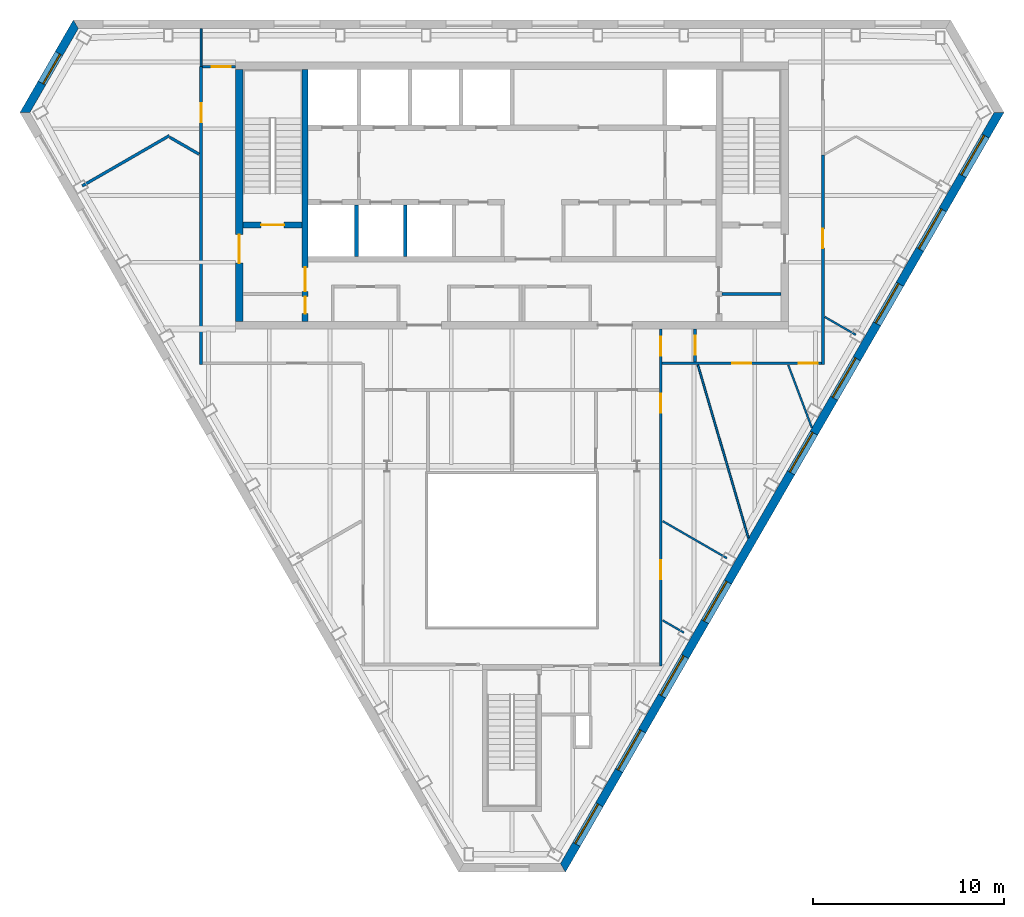
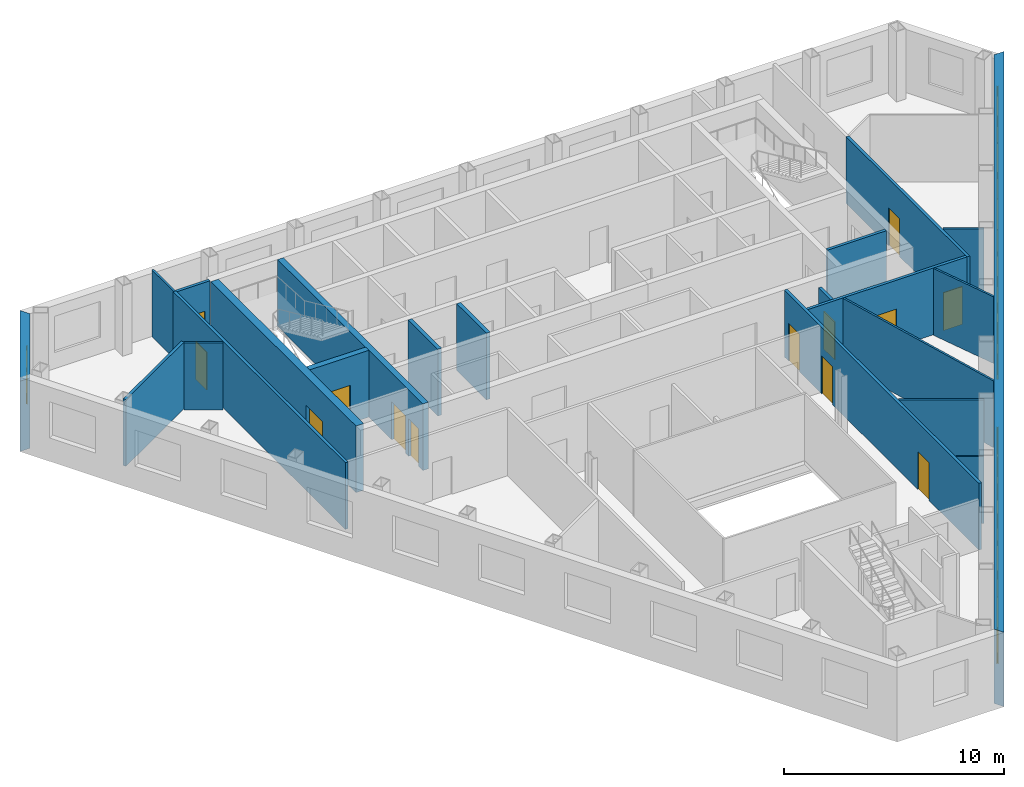
# One storey, part 5 of 10: 22 walls, 13 doors, 10 windows, 23 openings.
"""IFC4 building model written with IfcOpenShell, lengths in metres."""

from ifc_helpers import new_model, si_unit, direction, frame, frame_2d, origin, place, context, subcontext, project, spatial, polyline, rectangle, outline, extrude, material, layer, layer_set, type_object, element, fill, save


model = new_model("IFC4")

# Units and contexts
model_context = context("Model", 3, precision=1e-05, world=origin(), true_north=direction((0.0, 1.0)))
body_context = subcontext(model_context, "Body", "Model", "MODEL_VIEW")
ifc_project = project(units=[si_unit("LENGTHUNIT", "METRE"), si_unit("AREAUNIT", "SQUARE_METRE"), si_unit("VOLUMEUNIT", "CUBIC_METRE"), si_unit("PLANEANGLEUNIT", "RADIAN"), si_unit("MASSUNIT", "GRAM", prefix="KILO")], contexts=[model_context])

# Site, building, storey
site_placement = place(None, origin())
site = spatial("IfcSite", under=ifc_project, at=site_placement, CompositionType="ELEMENT")
building_placement = place(site_placement, origin())
building = spatial("IfcBuilding", under=site, at=building_placement, Name="Njiva Tower", CompositionType="ELEMENT")
storey_placement = place(building_placement, frame((0.0, 0.0, 276.6)))
storey = spatial("IfcBuildingStorey", under=building, at=storey_placement, Name="L63", CompositionType="ELEMENT", Elevation=276.6)

# Wall
ifc_material_1 = material(Name="Blockwork", Category="masonry")
ifc_layer_1 = layer(ifc_material_1, 0.15)
ifc_layer_set_1 = layer_set([ifc_layer_1], Name="Blockwork")
wall_type_1 = type_object("IfcWallType", Name="WT1 Compartment partition 150", PredefinedType="PARTITIONING", material=ifc_layer_set_1)
wall_1_placement = place(storey_placement, frame((11.0, 5.825, 0.0), z_axis=(0.0, 0.0, 1.0), x_axis=(1.0, 0.0, 0.0)))
element("IfcWall", 1, at=wall_1_placement, inside=storey, type_object=wall_type_1, Name="Room wall B", PredefinedType="PARTITIONING", context=body_context, shape_type="SweptSolid", body=[
    extrude(rectangle(XDim=3.1, YDim=0.15, at=frame_2d((1.55, 0.0))), origin(), (0.0, 0.0, 1.0), 3.7),
])

# Wall, openings, doors
ifc_material_2 = material(Name="Concrete C40/50", Category="concrete")
ifc_layer_2 = layer(ifc_material_2, 0.3)
ifc_layer_set_2 = layer_set([ifc_layer_2], Name="Concrete C40/50")
wall_type_2 = type_object("IfcWallType", Name="WT10 Stair enclosure wall 300", PredefinedType="SHEAR", material=ifc_layer_set_2)
wall_2_placement = place(storey_placement, frame((-10.85, 4.4, 0.0), z_axis=(0.0, 0.0, 1.0), x_axis=(0.0, 1.0, 0.0)))
wall_2 = element("IfcWall", 2, at=wall_2_placement, inside=storey, type_object=wall_type_2, Name="Stair wall west inner", PredefinedType="SHEAR", context=body_context, shape_type="SweptSolid", body=[
    extrude(rectangle(XDim=13.2, YDim=0.3, at=frame_2d((6.6, 0.0))), origin(), (0.0, 0.0, 1.0), 3.7),
])
opening_1_placement = place(wall_2_placement, frame((1.575, 0.0, 0.0)))
opening_1 = element("IfcOpeningElement", 3, at=opening_1_placement, cuts=wall_2, Name="Opening S20-D916", PredefinedType="OPENING", context=body_context, shape_type="SweptSolid", body=[
    extrude(rectangle(XDim=1.25, YDim=2.1, at=frame_2d((0.625, 1.05))), frame((0.0, 0.16, 0.0), z_axis=(0.0, -1.0, 0.0), x_axis=(1.0, 0.0, 0.0)), (0.0, 0.0, 1.0), 0.32),
])
opening_2_placement = place(wall_2_placement, frame((0.4, 0.0, 0.0)))
opening_2 = element("IfcOpeningElement", 4, at=opening_2_placement, cuts=wall_2, Name="Opening S20-D918", PredefinedType="OPENING", context=body_context, shape_type="SweptSolid", body=[
    extrude(rectangle(XDim=0.9, YDim=2.1, at=frame_2d((0.45, 1.05))), frame((0.0, 0.16, 0.0), z_axis=(0.0, -1.0, 0.0), x_axis=(1.0, 0.0, 0.0)), (0.0, 0.0, 1.0), 0.32),
])
ifc_material_3 = material(Name="Steel door, painted", Category="steel")
door_type_1 = type_object("IfcDoorType", Name="D13 Steel door 900x2100", OperationType="SINGLE_SWING_LEFT", PredefinedType="DOOR", material=ifc_material_3)
door_1_placement = place(opening_2_placement, origin())
door_1 = element("IfcDoor", 5, at=door_1_placement, inside=storey, type_object=door_type_1, Name="Quiet room door", OperationType="SINGLE_SWING_RIGHT", OverallHeight=2.1, OverallWidth=0.9, PredefinedType="DOOR", context=body_context, shape_type="SweptSolid", body=[
    extrude(rectangle(XDim=0.9, YDim=2.1, at=frame_2d((0.45, 1.05))), frame((0.0, 0.025, 0.0), z_axis=(0.0, -1.0, 0.0), x_axis=(1.0, 0.0, 0.0)), (0.0, 0.0, 1.0), 0.05),
])
fill(opening_2, door_1)
ifc_material_4 = material(Name="Glazed steel fire door", Category="steel")
door_type_2 = type_object("IfcDoorType", Name="D8 Vestibule corridor door 1250x2100 glazed", OperationType="SINGLE_SWING_LEFT", PredefinedType="DOOR", material=ifc_material_4)
door_2_placement = place(opening_1_placement, origin())
door_2 = element("IfcDoor", 6, at=door_2_placement, inside=storey, type_object=door_type_2, Name="Stair vestibule corridor door", OperationType="SINGLE_SWING_LEFT", OverallHeight=2.1, OverallWidth=1.25, PredefinedType="DOOR", context=body_context, shape_type="SweptSolid", body=[
    extrude(rectangle(XDim=1.25, YDim=2.1, at=frame_2d((0.625, 1.05))), frame((0.0, 0.025, 0.0), z_axis=(0.0, -1.0, 0.0), x_axis=(1.0, 0.0, 0.0)), (0.0, 0.0, 1.0), 0.05),
])
fill(opening_1, door_2)

# Wall, opening, door
wall_3_placement = place(storey_placement, frame((-14.1, 9.45, 0.0), z_axis=(0.0, 0.0, 1.0), x_axis=(1.0, 0.0, 0.0)))
wall_3 = element("IfcWall", 7, at=wall_3_placement, inside=storey, type_object=wall_type_2, Name="Stair A south wall", PredefinedType="SHEAR", context=body_context, shape_type="SweptSolid", body=[
    extrude(rectangle(XDim=3.1, YDim=0.3, at=frame_2d((1.55, 0.0))), origin(), (0.0, 0.0, 1.0), 3.7),
])
opening_3_placement = place(wall_3_placement, frame((0.95, 0.0, 0.0)))
opening_3 = element("IfcOpeningElement", 8, at=opening_3_placement, cuts=wall_3, Name="Opening S20-D915", PredefinedType="OPENING", context=body_context, shape_type="SweptSolid", body=[
    extrude(rectangle(XDim=1.2, YDim=2.1, at=frame_2d((0.6, 1.05))), frame((0.0, 0.16, 0.0), z_axis=(0.0, -1.0, 0.0), x_axis=(1.0, 0.0, 0.0)), (0.0, 0.0, 1.0), 0.32),
])
door_type_3 = type_object("IfcDoorType", Name="D7 Stair vestibule door 1200x2100 glazed", OperationType="SINGLE_SWING_LEFT", PredefinedType="DOOR", material=ifc_material_4)
door_3_placement = place(opening_3_placement, origin())
door_3 = element("IfcDoor", 9, at=door_3_placement, inside=storey, type_object=door_type_3, Name="Stair A door", OperationType="SINGLE_SWING_LEFT", OverallHeight=2.1, OverallWidth=1.2, PredefinedType="DOOR", context=body_context, shape_type="SweptSolid", body=[
    extrude(rectangle(XDim=1.2, YDim=2.1, at=frame_2d((0.6, 1.05))), frame((0.0, 0.025, 0.0), z_axis=(0.0, -1.0, 0.0), x_axis=(1.0, 0.0, 0.0)), (0.0, 0.0, 1.0), 0.05),
])
fill(opening_3, door_3)

ifc_material_5 = material(Name="Concrete C60/75", Category="concrete")
ifc_layer_3 = layer(ifc_material_5, 0.4)
ifc_layer_set_3 = layer_set([ifc_layer_3], Name="Concrete C60/75")
wall_type_3 = type_object("IfcWallType", Name="WT11 Core wall 400", PredefinedType="SHEAR", material=ifc_layer_set_3)
wall_4_placement = place(storey_placement, frame((-14.3, 4.4, 0.0), z_axis=(0.0, 0.0, 1.0), x_axis=(0.0, 1.0, 0.0)))
wall_4 = element("IfcWall", 10, at=wall_4_placement, inside=storey, type_object=wall_type_3, Name="Core wall west", PredefinedType="SHEAR", context=body_context, shape_type="SweptSolid", body=[
    extrude(rectangle(XDim=13.2, YDim=0.4, at=frame_2d((6.6, 0.0))), origin(), (0.0, 0.0, 1.0), 3.7),
])
opening_4_placement = place(wall_4_placement, frame((3.05, 0.0, 0.0)))
opening_4 = element("IfcOpeningElement", 11, at=opening_4_placement, cuts=wall_4, Name="Opening S20-D917", PredefinedType="OPENING", context=body_context, shape_type="SweptSolid", body=[
    extrude(rectangle(XDim=1.5, YDim=2.1, at=frame_2d((0.75, 1.05))), frame((0.0, 0.21, 0.0), z_axis=(0.0, -1.0, 0.0), x_axis=(1.0, 0.0, 0.0)), (0.0, 0.0, 1.0), 0.42),
])
door_type_4 = type_object("IfcDoorType", Name="D10 Exit door double 1500x2100 glazed", OperationType="DOUBLE_DOOR_SINGLE_SWING", PredefinedType="DOOR", material=ifc_material_4)
door_4_placement = place(opening_4_placement, origin())
door_4 = element("IfcDoor", 12, at=door_4_placement, inside=storey, type_object=door_type_4, Name="Stair A corridor door", OperationType="DOUBLE_DOOR_SINGLE_SWING", OverallHeight=2.1, OverallWidth=1.5, PredefinedType="DOOR", context=body_context, shape_type="SweptSolid", body=[
    extrude(rectangle(XDim=1.5, YDim=2.1, at=frame_2d((0.75, 1.05))), frame((0.0, 0.025, 0.0), z_axis=(0.0, -1.0, 0.0), x_axis=(1.0, 0.0, 0.0)), (0.0, 0.0, 1.0), 0.05),
])
fill(opening_4, door_4)

# Walls
ifc_material_6 = material(Name="Gypsum board on steel studs", Category="gypsum")
ifc_layer_4 = layer(ifc_material_6, 0.1)
ifc_layer_set_4 = layer_set([ifc_layer_4], Name="Gypsum board on steel studs")
wall_type_4 = type_object("IfcWallType", Name="WT20 Gypsum partition 100", PredefinedType="PARTITIONING", material=ifc_layer_set_4)
wall_5_placement = place(storey_placement, frame((-16.3, 17.762, 0.0), z_axis=(0.0, 0.0, 1.0), x_axis=(0.0, 1.0, 0.0)))
element("IfcWall", 13, at=wall_5_placement, inside=storey, type_object=wall_type_4, Name="Partition S20-P004", PredefinedType="PARTITIONING", context=body_context, shape_type="SweptSolid", body=[
    extrude(rectangle(XDim=1.988, YDim=0.1, at=frame_2d((0.994, 0.0))), origin(), (0.0, 0.0, 1.0), 3.7),
])
wall_6_placement = place(storey_placement, frame((7.9, -6.077, 0.0), z_axis=(0.0, 0.0, 1.0), x_axis=(0.86601853819, -0.50001189137, 0.0)))
element("IfcWall", 14, at=wall_6_placement, inside=storey, type_object=wall_type_4, Name="Partition S20-P018", PredefinedType="PARTITIONING", context=body_context, shape_type="SweptSolid", body=[
    extrude(rectangle(XDim=3.8879, YDim=0.1, at=frame_2d((1.944, 0.0))), origin(), (0.0, 0.0, 1.0), 3.7),
])
wall_7_placement = place(storey_placement, frame((7.9, -11.283, 0.0), z_axis=(0.0, 0.0, 1.0), x_axis=(0.865887538919, -0.500238712961, 0.0)))
element("IfcWall", 15, at=wall_7_placement, inside=storey, type_object=wall_type_4, Name="Partition S20-P019", PredefinedType="PARTITIONING", context=body_context, shape_type="SweptSolid", body=[
    extrude(rectangle(XDim=1.2854, YDim=0.1, at=frame_2d((0.6427, 0.0))), origin(), (0.0, 0.0, 1.0), 3.7),
])
wall_8_placement = place(storey_placement, frame((9.749, 2.111, 0.0), z_axis=(0.0, 0.0, 1.0), x_axis=(0.280109672534, -0.95996800538, 0.0)))
element("IfcWall", 16, at=wall_8_placement, inside=storey, type_object=wall_type_4, Name="Partition S20-P021", PredefinedType="PARTITIONING", context=body_context, shape_type="SweptSolid", body=[
    extrude(rectangle(XDim=9.4534, YDim=0.1, at=frame_2d((4.7267, 0.0))), origin(), (0.0, 0.0, 1.0), 3.7),
])
wall_9_placement = place(storey_placement, frame((14.487, 2.107, 0.0), z_axis=(0.0, 0.0, 1.0), x_axis=(0.352242085743, -0.935908923471, 0.0)))
element("IfcWall", 17, at=wall_9_placement, inside=storey, type_object=wall_type_4, Name="Partition S20-P023", PredefinedType="PARTITIONING", context=body_context, shape_type="SweptSolid", body=[
    extrude(rectangle(XDim=3.526, YDim=0.1, at=frame_2d((1.763, 0.0))), origin(), (0.0, 0.0, 1.0), 3.7),
])
wall_10_placement = place(storey_placement, frame((16.4, 4.63, 0.0), z_axis=(0.0, 0.0, 1.0), x_axis=(0.866141323391, -0.49979916758, 0.0)))
element("IfcWall", 18, at=wall_10_placement, inside=storey, type_object=wall_type_4, Name="Partition S20-P026", PredefinedType="PARTITIONING", context=body_context, shape_type="SweptSolid", body=[
    extrude(rectangle(XDim=1.8808, YDim=0.1, at=frame_2d((0.9404, 0.0))), origin(), (0.0, 0.0, 1.0), 3.7),
])
ifc_layer_5 = layer(ifc_material_6, 0.15)
ifc_layer_set_5 = layer_set([ifc_layer_5], Name="Gypsum board on steel studs")
wall_type_5 = type_object("IfcWallType", Name="WT21 Compartment wall 150", PredefinedType="PARTITIONING", material=ifc_layer_set_5)
wall_11_placement = place(storey_placement, frame((-22.537, 11.498, 0.0), z_axis=(0.0, 0.0, 1.0), x_axis=(0.866147719825, 0.499788082533, 0.0)))
element("IfcWall", 19, at=wall_11_placement, inside=storey, type_object=wall_type_5, Name="Partition S20-P001", PredefinedType="PARTITIONING", context=body_context, shape_type="SweptSolid", body=[
    extrude(rectangle(XDim=5.2762, YDim=0.15, at=frame_2d((2.6381, 0.0))), origin(), (0.0, 0.0, 1.0), 3.7),
])
wall_12_placement = place(storey_placement, frame((-17.943, 14.047, 0.0), z_axis=(0.0, 0.0, 1.0), x_axis=(0.866251516137, -0.49960815725, 0.0)))
element("IfcWall", 20, at=wall_12_placement, inside=storey, type_object=wall_type_5, Name="Partition S20-P002", PredefinedType="PARTITIONING", context=body_context, shape_type="SweptSolid", body=[
    extrude(rectangle(XDim=1.7674, YDim=0.15, at=frame_2d((0.8837, 0.0))), origin(), (0.0, 0.0, 1.0), 3.7),
])

# Wall, opening, door
wall_13_placement = place(storey_placement, frame((-16.3, 2.125, 0.0), z_axis=(0.0, 0.0, 1.0), x_axis=(0.0, 1.0, 0.0)))
wall_13 = element("IfcWall", 21, at=wall_13_placement, inside=storey, type_object=wall_type_5, Name="Partition S20-P003", PredefinedType="PARTITIONING", context=body_context, shape_type="SweptSolid", body=[
    extrude(rectangle(XDim=15.637, YDim=0.15, at=frame_2d((7.8185, 0.0))), origin(), (0.0, 0.0, 1.0), 3.7),
])
opening_5_placement = place(wall_13_placement, frame((12.705, 0.0, 0.0)))
opening_5 = element("IfcOpeningElement", 22, at=opening_5_placement, cuts=wall_13, Name="Opening S20-D001", PredefinedType="OPENING", context=body_context, shape_type="SweptSolid", body=[
    extrude(rectangle(XDim=1.0, YDim=2.1, at=frame_2d((0.5, 1.05))), frame((0.0, 0.085, 0.0), z_axis=(0.0, -1.0, 0.0), x_axis=(1.0, 0.0, 0.0)), (0.0, 0.0, 1.0), 0.17),
])
ifc_material_7 = material(Name="Steel fire door set", Category="steel")
door_type_5 = type_object("IfcDoorType", Name="D37 Fire door 1000x2100", OperationType="SINGLE_SWING_LEFT", PredefinedType="DOOR", material=ifc_material_7)
door_5_placement = place(opening_5_placement, origin())
door_5 = element("IfcDoor", 23, at=door_5_placement, inside=storey, type_object=door_type_5, Name="Door S20-D001", OperationType="SINGLE_SWING_LEFT", OverallHeight=2.1, OverallWidth=1.0, PredefinedType="DOOR", context=body_context, shape_type="SweptSolid", body=[
    extrude(rectangle(XDim=1.0, YDim=2.1, at=frame_2d((0.5, 1.05))), frame((0.0, 0.025, 0.0), z_axis=(0.0, -1.0, 0.0), x_axis=(1.0, 0.0, 0.0)), (0.0, 0.0, 1.0), 0.05),
])
fill(opening_5, door_5)

wall_14_placement = place(storey_placement, frame((-16.225, 17.75, 0.0), z_axis=(0.0, 0.0, 1.0), x_axis=(1.0, 0.0, 0.0)))
wall_14 = element("IfcWall", 24, at=wall_14_placement, inside=storey, type_object=wall_type_5, Name="Partition S20-P006", PredefinedType="PARTITIONING", context=body_context, shape_type="SweptSolid", body=[
    extrude(rectangle(XDim=1.725, YDim=0.15, at=frame_2d((0.8625, 0.0))), origin(), (0.0, 0.0, 1.0), 3.7),
])
opening_6_placement = place(wall_14_placement, frame((0.471, 0.0, 0.0)))
opening_6 = element("IfcOpeningElement", 25, at=opening_6_placement, cuts=wall_14, Name="Opening S20-D003", PredefinedType="OPENING", context=body_context, shape_type="SweptSolid", body=[
    extrude(rectangle(XDim=1.0, YDim=2.1, at=frame_2d((0.5, 1.05))), frame((0.0, 0.085, 0.0), z_axis=(0.0, -1.0, 0.0), x_axis=(1.0, 0.0, 0.0)), (0.0, 0.0, 1.0), 0.17),
])
door_6_placement = place(opening_6_placement, origin())
door_6 = element("IfcDoor", 26, at=door_6_placement, inside=storey, type_object=door_type_5, Name="Door S20-D003", OperationType="SINGLE_SWING_LEFT", OverallHeight=2.1, OverallWidth=1.0, PredefinedType="DOOR", context=body_context, shape_type="SweptSolid", body=[
    extrude(rectangle(XDim=1.0, YDim=2.1, at=frame_2d((0.5, 1.05))), frame((0.0, 0.025, 0.0), z_axis=(0.0, -1.0, 0.0), x_axis=(1.0, 0.0, 0.0)), (0.0, 0.0, 1.0), 0.05),
])
fill(opening_6, door_6)

# Wall, openings, doors
wall_15_placement = place(storey_placement, frame((7.8, -13.675, 0.0), z_axis=(0.0, 0.0, 1.0), x_axis=(0.0, 1.0, 0.0)))
wall_15 = element("IfcWall", 27, at=wall_15_placement, inside=storey, type_object=wall_type_5, Name="Partition S20-P016", PredefinedType="PARTITIONING", context=body_context, shape_type="SweptSolid", body=[
    extrude(rectangle(XDim=17.675, YDim=0.15, at=frame_2d((8.8375, 0.0))), origin(), (0.0, 0.0, 1.0), 3.7),
])
opening_7_placement = place(wall_15_placement, frame((4.552, 0.0, 0.0)))
opening_7 = element("IfcOpeningElement", 28, at=opening_7_placement, cuts=wall_15, Name="Opening S20-D011", PredefinedType="OPENING", context=body_context, shape_type="SweptSolid", body=[
    extrude(rectangle(XDim=1.0, YDim=2.1, at=frame_2d((0.5, 1.05))), frame((0.0, 0.085, 0.0), z_axis=(0.0, -1.0, 0.0), x_axis=(1.0, 0.0, 0.0)), (0.0, 0.0, 1.0), 0.17),
])
opening_8_placement = place(wall_15_placement, frame((13.287, 0.0, 0.0)))
opening_8 = element("IfcOpeningElement", 29, at=opening_8_placement, cuts=wall_15, Name="Opening S20-D012", PredefinedType="OPENING", context=body_context, shape_type="SweptSolid", body=[
    extrude(rectangle(XDim=1.0, YDim=2.1, at=frame_2d((0.5, 1.05))), frame((0.0, 0.085, 0.0), z_axis=(0.0, -1.0, 0.0), x_axis=(1.0, 0.0, 0.0)), (0.0, 0.0, 1.0), 0.17),
])
opening_9_placement = place(wall_15_placement, frame((16.275, 0.0, 0.0)))
opening_9 = element("IfcOpeningElement", 30, at=opening_9_placement, cuts=wall_15, Name="Opening S20-D013", PredefinedType="OPENING", context=body_context, shape_type="SweptSolid", body=[
    extrude(rectangle(XDim=1.0, YDim=2.1, at=frame_2d((0.5, 1.05))), frame((0.0, 0.085, 0.0), z_axis=(0.0, -1.0, 0.0), x_axis=(1.0, 0.0, 0.0)), (0.0, 0.0, 1.0), 0.17),
])
door_7_placement = place(opening_7_placement, origin())
door_7 = element("IfcDoor", 31, at=door_7_placement, inside=storey, type_object=door_type_5, Name="Door S20-D011", OperationType="SINGLE_SWING_LEFT", OverallHeight=2.1, OverallWidth=1.0, PredefinedType="DOOR", context=body_context, shape_type="SweptSolid", body=[
    extrude(rectangle(XDim=1.0, YDim=2.1, at=frame_2d((0.5, 1.05))), frame((0.0, 0.025, 0.0), z_axis=(0.0, -1.0, 0.0), x_axis=(1.0, 0.0, 0.0)), (0.0, 0.0, 1.0), 0.05),
])
fill(opening_7, door_7)
door_8_placement = place(opening_8_placement, origin())
door_8 = element("IfcDoor", 32, at=door_8_placement, inside=storey, type_object=door_type_5, Name="Door S20-D012", OperationType="SINGLE_SWING_RIGHT", OverallHeight=2.1, OverallWidth=1.0, PredefinedType="DOOR", context=body_context, shape_type="SweptSolid", body=[
    extrude(rectangle(XDim=1.0, YDim=2.1, at=frame_2d((0.5, 1.05))), frame((0.0, 0.025, 0.0), z_axis=(0.0, -1.0, 0.0), x_axis=(1.0, 0.0, 0.0)), (0.0, 0.0, 1.0), 0.05),
])
fill(opening_8, door_8)
door_9_placement = place(opening_9_placement, origin())
door_9 = element("IfcDoor", 33, at=door_9_placement, inside=storey, type_object=door_type_5, Name="Door S20-D013", OperationType="SINGLE_SWING_RIGHT", OverallHeight=2.1, OverallWidth=1.0, PredefinedType="DOOR", context=body_context, shape_type="SweptSolid", body=[
    extrude(rectangle(XDim=1.0, YDim=2.1, at=frame_2d((0.5, 1.05))), frame((0.0, 0.025, 0.0), z_axis=(0.0, -1.0, 0.0), x_axis=(1.0, 0.0, 0.0)), (0.0, 0.0, 1.0), 0.05),
])
fill(opening_9, door_9)

wall_16_placement = place(storey_placement, frame((7.875, 2.2, 0.0), z_axis=(0.0, 0.0, 1.0), x_axis=(1.0, 0.0, 0.0)))
wall_16 = element("IfcWall", 34, at=wall_16_placement, inside=storey, type_object=wall_type_5, Name="Partition S20-P017", PredefinedType="PARTITIONING", context=body_context, shape_type="SweptSolid", body=[
    extrude(rectangle(XDim=8.35, YDim=0.15, at=frame_2d((4.175, 0.0))), origin(), (0.0, 0.0, 1.0), 3.7),
])
opening_10_placement = place(wall_16_placement, frame((3.662, 0.0, 0.0)))
opening_10 = element("IfcOpeningElement", 35, at=opening_10_placement, cuts=wall_16, Name="Opening S20-D014", PredefinedType="OPENING", context=body_context, shape_type="SweptSolid", body=[
    extrude(rectangle(XDim=1.0, YDim=2.1, at=frame_2d((0.5, 1.05))), frame((0.0, 0.085, 0.0), z_axis=(0.0, -1.0, 0.0), x_axis=(1.0, 0.0, 0.0)), (0.0, 0.0, 1.0), 0.17),
])
opening_11_placement = place(wall_16_placement, frame((7.15, 0.0, 0.0)))
opening_11 = element("IfcOpeningElement", 36, at=opening_11_placement, cuts=wall_16, Name="Opening S20-D015", PredefinedType="OPENING", context=body_context, shape_type="SweptSolid", body=[
    extrude(rectangle(XDim=1.0, YDim=2.1, at=frame_2d((0.5, 1.05))), frame((0.0, 0.085, 0.0), z_axis=(0.0, -1.0, 0.0), x_axis=(1.0, 0.0, 0.0)), (0.0, 0.0, 1.0), 0.17),
])
door_10_placement = place(opening_10_placement, origin())
door_10 = element("IfcDoor", 37, at=door_10_placement, inside=storey, type_object=door_type_5, Name="Door S20-D014", OperationType="SINGLE_SWING_LEFT", OverallHeight=2.1, OverallWidth=1.0, PredefinedType="DOOR", context=body_context, shape_type="SweptSolid", body=[
    extrude(rectangle(XDim=1.0, YDim=2.1, at=frame_2d((0.5, 1.05))), frame((0.0, 0.025, 0.0), z_axis=(0.0, -1.0, 0.0), x_axis=(1.0, 0.0, 0.0)), (0.0, 0.0, 1.0), 0.05),
])
fill(opening_10, door_10)
door_11_placement = place(opening_11_placement, origin())
door_11 = element("IfcDoor", 38, at=door_11_placement, inside=storey, type_object=door_type_5, Name="Door S20-D015", OperationType="SINGLE_SWING_RIGHT", OverallHeight=2.1, OverallWidth=1.0, PredefinedType="DOOR", context=body_context, shape_type="SweptSolid", body=[
    extrude(rectangle(XDim=1.0, YDim=2.1, at=frame_2d((0.5, 1.05))), frame((0.0, 0.025, 0.0), z_axis=(0.0, -1.0, 0.0), x_axis=(1.0, 0.0, 0.0)), (0.0, 0.0, 1.0), 0.05),
])
fill(opening_11, door_11)

# Wall, opening, door
wall_17_placement = place(storey_placement, frame((9.6, 2.275, 0.0), z_axis=(0.0, 0.0, 1.0), x_axis=(0.0, 1.0, 0.0)))
wall_17 = element("IfcWall", 39, at=wall_17_placement, inside=storey, type_object=wall_type_5, Name="Partition S20-P020", PredefinedType="PARTITIONING", context=body_context, shape_type="SweptSolid", body=[
    extrude(rectangle(XDim=1.725, YDim=0.15, at=frame_2d((0.8625, 0.0))), origin(), (0.0, 0.0, 1.0), 3.2),
])
opening_12_placement = place(wall_17_placement, frame((0.362, 0.0, 0.0)))
opening_12 = element("IfcOpeningElement", 40, at=opening_12_placement, cuts=wall_17, Name="Opening S20-D016", PredefinedType="OPENING", context=body_context, shape_type="SweptSolid", body=[
    extrude(rectangle(XDim=1.0, YDim=2.1, at=frame_2d((0.5, 1.05))), frame((0.0, 0.085, 0.0), z_axis=(0.0, -1.0, 0.0), x_axis=(1.0, 0.0, 0.0)), (0.0, 0.0, 1.0), 0.17),
])
door_12_placement = place(opening_12_placement, origin())
door_12 = element("IfcDoor", 41, at=door_12_placement, inside=storey, type_object=door_type_5, Name="Door S20-D016", OperationType="SINGLE_SWING_LEFT", OverallHeight=2.1, OverallWidth=1.0, PredefinedType="DOOR", context=body_context, shape_type="SweptSolid", body=[
    extrude(rectangle(XDim=1.0, YDim=2.1, at=frame_2d((0.5, 1.05))), frame((0.0, 0.025, 0.0), z_axis=(0.0, -1.0, 0.0), x_axis=(1.0, 0.0, 0.0)), (0.0, 0.0, 1.0), 0.05),
])
fill(opening_12, door_12)

wall_18_placement = place(storey_placement, frame((16.3, 2.125, 0.0), z_axis=(0.0, 0.0, 1.0), x_axis=(0.0, 1.0, 0.0)))
wall_18 = element("IfcWall", 42, at=wall_18_placement, inside=storey, type_object=wall_type_5, Name="Partition S20-P024", PredefinedType="PARTITIONING", context=body_context, shape_type="SweptSolid", body=[
    extrude(rectangle(XDim=10.985, YDim=0.15, at=frame_2d((5.4925, 0.0))), origin(), (0.0, 0.0, 1.0), 3.7),
])
opening_13_placement = place(wall_18_placement, frame((6.117, 0.0, 0.0)))
opening_13 = element("IfcOpeningElement", 43, at=opening_13_placement, cuts=wall_18, Name="Opening S20-D017", PredefinedType="OPENING", context=body_context, shape_type="SweptSolid", body=[
    extrude(rectangle(XDim=1.0, YDim=2.1, at=frame_2d((0.5, 1.05))), frame((0.0, 0.085, 0.0), z_axis=(0.0, -1.0, 0.0), x_axis=(1.0, 0.0, 0.0)), (0.0, 0.0, 1.0), 0.17),
])
door_13_placement = place(opening_13_placement, origin())
door_13 = element("IfcDoor", 44, at=door_13_placement, inside=storey, type_object=door_type_5, Name="Door S20-D017", OperationType="SINGLE_SWING_RIGHT", OverallHeight=2.1, OverallWidth=1.0, PredefinedType="DOOR", context=body_context, shape_type="SweptSolid", body=[
    extrude(rectangle(XDim=1.0, YDim=2.1, at=frame_2d((0.5, 1.05))), frame((0.0, 0.025, 0.0), z_axis=(0.0, -1.0, 0.0), x_axis=(1.0, 0.0, 0.0)), (0.0, 0.0, 1.0), 0.05),
])
fill(opening_13, door_13)

# Walls
ifc_layer_6 = layer(ifc_material_2, 0.2)
ifc_layer_set_6 = layer_set([ifc_layer_6], Name="Concrete C40/50")
wall_type_6 = type_object("IfcWallType", Name="WT6 Lift shaft wall 200", PredefinedType="SHEAR", material=ifc_layer_set_6)
for number, where, z_axis, x_axis, name in (
    (45, (-8.15, 7.8, 0.0), (0.0, 0.0, 1.0), (0.0, 1.0, 0.0), "Shaft wall CS1"),
    (46, (-5.6, 7.8, 0.0), (0.0, 0.0, 1.0), (0.0, 1.0, 0.0), "Shaft wall CS2"),
):
    element("IfcWall", number, at=place(storey_placement, frame(where, z_axis=z_axis, x_axis=x_axis)), inside=storey, type_object=wall_type_6, Name=name, PredefinedType="SHEAR", context=body_context, shape_type="SweptSolid", body=[
        extrude(rectangle(XDim=2.7, YDim=0.2, at=frame_2d((1.35, 0.0))), origin(), (0.0, 0.0, 1.0), 3.7),
    ])

# Wall, openings, windows
ifc_material_8 = material(Name="Brick masonry", Category="masonry")
ifc_layer_7 = layer(ifc_material_8, 0.45)
ifc_layer_set_7 = layer_set([ifc_layer_7], Name="Brick masonry")
wall_type_7 = type_object("IfcWallType", Name="WT90 Brick pier and spandrel wall 450", PredefinedType="SOLIDWALL", material=ifc_layer_set_7)
wall_19_placement = place(storey_placement, frame((2.6701, -24.2619, -0.4), z_axis=(0.0, 0.0, 1.0), x_axis=(0.499999764979, 0.866025539474, 0.0)))
wall_19 = element("IfcWall", 47, at=wall_19_placement, inside=storey, type_object=wall_type_7, Name="Facade wall SE", PredefinedType="SOLIDWALL", context=body_context, shape_type="SweptSolid", body=[
    extrude(outline(polyline([(-0.1299, -0.225), (45.8701, -0.225), (45.6103, 0.225), (0.1299, 0.225), (-0.1299, -0.225)])), origin(), (0.0, 0.0, 1.0), 4.12),
])
opening_14_placement = place(wall_19_placement, frame((1.4242, 0.0, 1.3)))
opening_14 = element("IfcOpeningElement", 48, at=opening_14_placement, cuts=wall_19, Name="Opening S20-W20", PredefinedType="OPENING", context=body_context, shape_type="SweptSolid", body=[
    extrude(rectangle(XDim=2.4, YDim=2.0, at=frame_2d((1.2, 1.0))), frame((0.0, 0.235, 0.0), z_axis=(0.0, -1.0, 0.0), x_axis=(1.0, 0.0, 0.0)), (0.0, 0.0, 1.0), 0.47),
])
opening_15_placement = place(wall_19_placement, frame((5.8934, 0.0, 1.3)))
opening_15 = element("IfcOpeningElement", 49, at=opening_15_placement, cuts=wall_19, Name="Opening S20-W21", PredefinedType="OPENING", context=body_context, shape_type="SweptSolid", body=[
    extrude(rectangle(XDim=2.4, YDim=2.0, at=frame_2d((1.2, 1.0))), frame((0.0, 0.235, 0.0), z_axis=(0.0, -1.0, 0.0), x_axis=(1.0, 0.0, 0.0)), (0.0, 0.0, 1.0), 0.47),
])
opening_16_placement = place(wall_19_placement, frame((10.401, 0.0, 1.3)))
opening_16 = element("IfcOpeningElement", 50, at=opening_16_placement, cuts=wall_19, Name="Opening S20-W22", PredefinedType="OPENING", context=body_context, shape_type="SweptSolid", body=[
    extrude(rectangle(XDim=2.4, YDim=2.0, at=frame_2d((1.2, 1.0))), frame((0.0, 0.235, 0.0), z_axis=(0.0, -1.0, 0.0), x_axis=(1.0, 0.0, 0.0)), (0.0, 0.0, 1.0), 0.47),
])
opening_17_placement = place(wall_19_placement, frame((14.9087, 0.0, 1.3)))
opening_17 = element("IfcOpeningElement", 51, at=opening_17_placement, cuts=wall_19, Name="Opening S20-W23", PredefinedType="OPENING", context=body_context, shape_type="SweptSolid", body=[
    extrude(rectangle(XDim=2.4, YDim=2.0, at=frame_2d((1.2, 1.0))), frame((0.0, 0.235, 0.0), z_axis=(0.0, -1.0, 0.0), x_axis=(1.0, 0.0, 0.0)), (0.0, 0.0, 1.0), 0.47),
])
opening_18_placement = place(wall_19_placement, frame((23.9239, 0.0, 1.3)))
opening_18 = element("IfcOpeningElement", 52, at=opening_18_placement, cuts=wall_19, Name="Opening S20-W24", PredefinedType="OPENING", context=body_context, shape_type="SweptSolid", body=[
    extrude(rectangle(XDim=2.4, YDim=2.0, at=frame_2d((1.2, 1.0))), frame((0.0, 0.235, 0.0), z_axis=(0.0, -1.0, 0.0), x_axis=(1.0, 0.0, 0.0)), (0.0, 0.0, 1.0), 0.47),
])
opening_19_placement = place(wall_19_placement, frame((28.4315, 0.0, 1.3)))
opening_19 = element("IfcOpeningElement", 53, at=opening_19_placement, cuts=wall_19, Name="Opening S20-W25", PredefinedType="OPENING", context=body_context, shape_type="SweptSolid", body=[
    extrude(rectangle(XDim=2.4, YDim=2.0, at=frame_2d((1.2, 1.0))), frame((0.0, 0.235, 0.0), z_axis=(0.0, -1.0, 0.0), x_axis=(1.0, 0.0, 0.0)), (0.0, 0.0, 1.0), 0.47),
])
opening_20_placement = place(wall_19_placement, frame((32.9391, 0.0, 1.3)))
opening_20 = element("IfcOpeningElement", 54, at=opening_20_placement, cuts=wall_19, Name="Opening S20-W26", PredefinedType="OPENING", context=body_context, shape_type="SweptSolid", body=[
    extrude(rectangle(XDim=2.4, YDim=2.0, at=frame_2d((1.2, 1.0))), frame((0.0, 0.235, 0.0), z_axis=(0.0, -1.0, 0.0), x_axis=(1.0, 0.0, 0.0)), (0.0, 0.0, 1.0), 0.47),
])
opening_21_placement = place(wall_19_placement, frame((37.4468, 0.0, 1.3)))
opening_21 = element("IfcOpeningElement", 55, at=opening_21_placement, cuts=wall_19, Name="Opening S20-W27", PredefinedType="OPENING", context=body_context, shape_type="SweptSolid", body=[
    extrude(rectangle(XDim=2.4, YDim=2.0, at=frame_2d((1.2, 1.0))), frame((0.0, 0.235, 0.0), z_axis=(0.0, -1.0, 0.0), x_axis=(1.0, 0.0, 0.0)), (0.0, 0.0, 1.0), 0.47),
])
opening_22_placement = place(wall_19_placement, frame((41.916, 0.0, 1.3)))
opening_22 = element("IfcOpeningElement", 56, at=opening_22_placement, cuts=wall_19, Name="Opening S20-W28", PredefinedType="OPENING", context=body_context, shape_type="SweptSolid", body=[
    extrude(rectangle(XDim=2.4, YDim=2.0, at=frame_2d((1.2, 1.0))), frame((0.0, 0.235, 0.0), z_axis=(0.0, -1.0, 0.0), x_axis=(1.0, 0.0, 0.0)), (0.0, 0.0, 1.0), 0.47),
])
ifc_material_9 = material(Name="Clear glazing in aluminium frame", Category="aluminium")
window_type_1 = type_object("IfcWindowType", Name="W90 Deep-set window 2400x2000", PartitioningType="SINGLE_PANEL", PredefinedType="WINDOW", material=ifc_material_9)
window_1_placement = place(opening_14_placement, origin())
window_1 = element("IfcWindow", 57, at=window_1_placement, inside=storey, type_object=window_type_1, Name="Window", OverallHeight=2.0, OverallWidth=2.4, PartitioningType="SINGLE_PANEL", PredefinedType="WINDOW", context=body_context, shape_type="SweptSolid", body=[
    extrude(rectangle(XDim=2.4, YDim=2.0, at=frame_2d((1.2, 1.0))), frame((0.0, 0.105, 0.0), z_axis=(0.0, -1.0, 0.0), x_axis=(1.0, 0.0, 0.0)), (0.0, 0.0, 1.0), 0.06),
])
fill(opening_14, window_1)
window_2_placement = place(opening_15_placement, origin())
window_2 = element("IfcWindow", 58, at=window_2_placement, inside=storey, type_object=window_type_1, Name="Window", OverallHeight=2.0, OverallWidth=2.4, PartitioningType="SINGLE_PANEL", PredefinedType="WINDOW", context=body_context, shape_type="SweptSolid", body=[
    extrude(rectangle(XDim=2.4, YDim=2.0, at=frame_2d((1.2, 1.0))), frame((0.0, 0.105, 0.0), z_axis=(0.0, -1.0, 0.0), x_axis=(1.0, 0.0, 0.0)), (0.0, 0.0, 1.0), 0.06),
])
fill(opening_15, window_2)
window_3_placement = place(opening_16_placement, origin())
window_3 = element("IfcWindow", 59, at=window_3_placement, inside=storey, type_object=window_type_1, Name="Window", OverallHeight=2.0, OverallWidth=2.4, PartitioningType="SINGLE_PANEL", PredefinedType="WINDOW", context=body_context, shape_type="SweptSolid", body=[
    extrude(rectangle(XDim=2.4, YDim=2.0, at=frame_2d((1.2, 1.0))), frame((0.0, 0.105, 0.0), z_axis=(0.0, -1.0, 0.0), x_axis=(1.0, 0.0, 0.0)), (0.0, 0.0, 1.0), 0.06),
])
fill(opening_16, window_3)
window_4_placement = place(opening_17_placement, origin())
window_4 = element("IfcWindow", 60, at=window_4_placement, inside=storey, type_object=window_type_1, Name="Window", OverallHeight=2.0, OverallWidth=2.4, PartitioningType="SINGLE_PANEL", PredefinedType="WINDOW", context=body_context, shape_type="SweptSolid", body=[
    extrude(rectangle(XDim=2.4, YDim=2.0, at=frame_2d((1.2, 1.0))), frame((0.0, 0.105, 0.0), z_axis=(0.0, -1.0, 0.0), x_axis=(1.0, 0.0, 0.0)), (0.0, 0.0, 1.0), 0.06),
])
fill(opening_17, window_4)
window_5_placement = place(opening_18_placement, origin())
window_5 = element("IfcWindow", 61, at=window_5_placement, inside=storey, type_object=window_type_1, Name="Window", OverallHeight=2.0, OverallWidth=2.4, PartitioningType="SINGLE_PANEL", PredefinedType="WINDOW", context=body_context, shape_type="SweptSolid", body=[
    extrude(rectangle(XDim=2.4, YDim=2.0, at=frame_2d((1.2, 1.0))), frame((0.0, 0.105, 0.0), z_axis=(0.0, -1.0, 0.0), x_axis=(1.0, 0.0, 0.0)), (0.0, 0.0, 1.0), 0.06),
])
fill(opening_18, window_5)
window_6_placement = place(opening_19_placement, origin())
window_6 = element("IfcWindow", 62, at=window_6_placement, inside=storey, type_object=window_type_1, Name="Window", OverallHeight=2.0, OverallWidth=2.4, PartitioningType="SINGLE_PANEL", PredefinedType="WINDOW", context=body_context, shape_type="SweptSolid", body=[
    extrude(rectangle(XDim=2.4, YDim=2.0, at=frame_2d((1.2, 1.0))), frame((0.0, 0.105, 0.0), z_axis=(0.0, -1.0, 0.0), x_axis=(1.0, 0.0, 0.0)), (0.0, 0.0, 1.0), 0.06),
])
fill(opening_19, window_6)
window_7_placement = place(opening_20_placement, origin())
window_7 = element("IfcWindow", 63, at=window_7_placement, inside=storey, type_object=window_type_1, Name="Window", OverallHeight=2.0, OverallWidth=2.4, PartitioningType="SINGLE_PANEL", PredefinedType="WINDOW", context=body_context, shape_type="SweptSolid", body=[
    extrude(rectangle(XDim=2.4, YDim=2.0, at=frame_2d((1.2, 1.0))), frame((0.0, 0.105, 0.0), z_axis=(0.0, -1.0, 0.0), x_axis=(1.0, 0.0, 0.0)), (0.0, 0.0, 1.0), 0.06),
])
fill(opening_20, window_7)
window_8_placement = place(opening_21_placement, origin())
window_8 = element("IfcWindow", 64, at=window_8_placement, inside=storey, type_object=window_type_1, Name="Window", OverallHeight=2.0, OverallWidth=2.4, PartitioningType="SINGLE_PANEL", PredefinedType="WINDOW", context=body_context, shape_type="SweptSolid", body=[
    extrude(rectangle(XDim=2.4, YDim=2.0, at=frame_2d((1.2, 1.0))), frame((0.0, 0.105, 0.0), z_axis=(0.0, -1.0, 0.0), x_axis=(1.0, 0.0, 0.0)), (0.0, 0.0, 1.0), 0.06),
])
fill(opening_21, window_8)
window_9_placement = place(opening_22_placement, origin())
window_9 = element("IfcWindow", 65, at=window_9_placement, inside=storey, type_object=window_type_1, Name="Window", OverallHeight=2.0, OverallWidth=2.4, PartitioningType="SINGLE_PANEL", PredefinedType="WINDOW", context=body_context, shape_type="SweptSolid", body=[
    extrude(rectangle(XDim=2.4, YDim=2.0, at=frame_2d((1.2, 1.0))), frame((0.0, 0.105, 0.0), z_axis=(0.0, -1.0, 0.0), x_axis=(1.0, 0.0, 0.0)), (0.0, 0.0, 1.0), 0.06),
])
fill(opening_22, window_9)

# Wall, opening, window
ifc_material_10 = material(Name="Brick masonry, buff", Category="masonry")
ifc_layer_8 = layer(ifc_material_10, 0.45)
ifc_layer_set_8 = layer_set([ifc_layer_8], Name="Brick masonry, buff")
wall_type_8 = type_object("IfcWallType", Name="WT94 Brick pier and spandrel wall 450, buff", PredefinedType="SOLIDWALL", material=ifc_layer_set_8)
wall_20_placement = place(storey_placement, frame((-22.8701, 19.975, -0.4), z_axis=(0.0, 0.0, 1.0), x_axis=(-0.500003961967, -0.866023116329, 0.0)))
wall_20 = element("IfcWall", 66, at=wall_20_placement, inside=storey, type_object=wall_type_8, Name="Facade wall NW", PredefinedType="SOLIDWALL", context=body_context, shape_type="SweptSolid", body=[
    extrude(outline(polyline([(-0.1299, -0.225), (5.4701, -0.225), (5.2103, 0.225), (0.1299, 0.225), (-0.1299, -0.225)])), origin(), (0.0, 0.0, 1.0), 3.9),
])
opening_23_placement = place(wall_20_placement, frame((1.7701, 0.0, 1.3)))
opening_23 = element("IfcOpeningElement", 67, at=opening_23_placement, cuts=wall_20, Name="Opening S20-W08", PredefinedType="OPENING", context=body_context, shape_type="SweptSolid", body=[
    extrude(rectangle(XDim=1.8, YDim=2.0, at=frame_2d((0.9, 1.0))), frame((0.0, 0.235, 0.0), z_axis=(0.0, -1.0, 0.0), x_axis=(1.0, 0.0, 0.0)), (0.0, 0.0, 1.0), 0.47),
])
window_type_2 = type_object("IfcWindowType", Name="W94 Deep-set window 1800x2000", PartitioningType="SINGLE_PANEL", PredefinedType="WINDOW", material=ifc_material_9)
window_10_placement = place(opening_23_placement, origin())
window_10 = element("IfcWindow", 68, at=window_10_placement, inside=storey, type_object=window_type_2, Name="Window", OverallHeight=2.0, OverallWidth=1.8, PartitioningType="SINGLE_PANEL", PredefinedType="WINDOW", context=body_context, shape_type="SweptSolid", body=[
    extrude(rectangle(XDim=1.8, YDim=2.0, at=frame_2d((0.9, 1.0))), frame((0.0, 0.105, 0.0), z_axis=(0.0, -1.0, 0.0), x_axis=(1.0, 0.0, 0.0)), (0.0, 0.0, 1.0), 0.06),
])
fill(opening_23, window_10)

save(model, "model.ifc")
